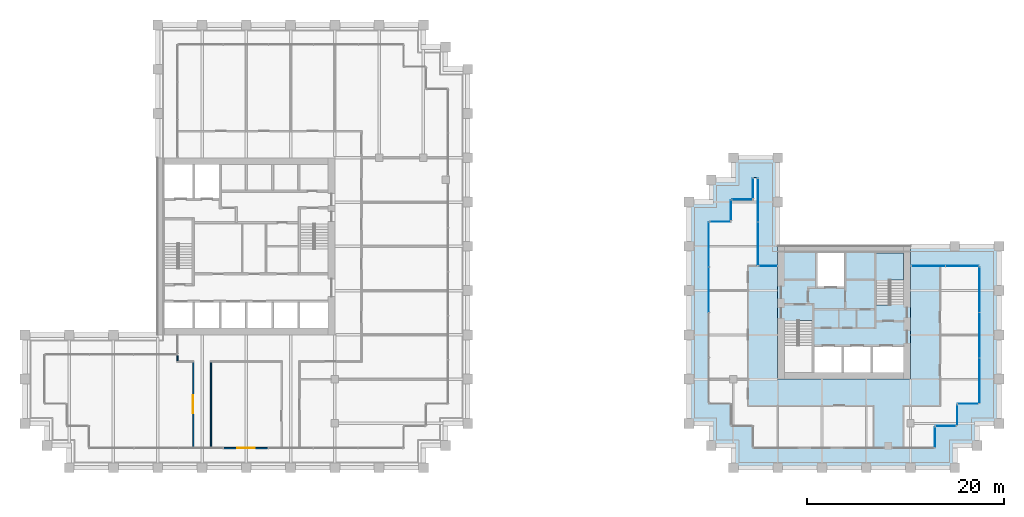
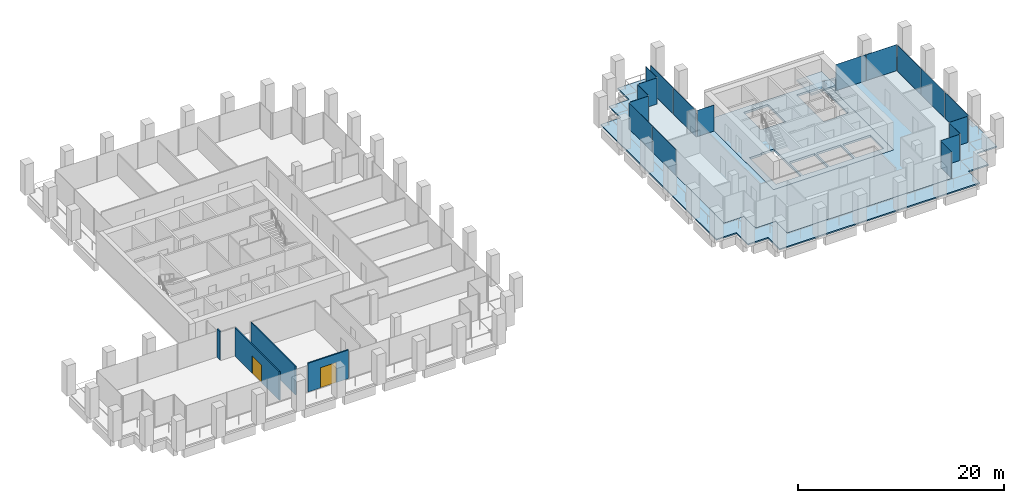
# One storey, part 40 of 46: 18 plates, 4 slabs, 4 walls, 2 doors, 2 openings, 14 elements without a shape of their own.
"""IFC4 building model written with IfcOpenShell, lengths in metres."""

from ifc_helpers import new_model, si_unit, direction, frame, frame_2d, origin, origin_2d, place, context, subcontext, project, spatial, polyline, rectangle, outline, extrude, material, layer, layer_set, type_object, element, fill, aggregate, save


model = new_model("IFC4")

# Units and contexts
model_context = context("Model", 3, precision=1e-05, world=origin(), true_north=direction((0.0, 1.0)))
body_context = subcontext(model_context, "Body", "Model", "MODEL_VIEW")
ifc_project = project(units=[si_unit("LENGTHUNIT", "METRE"), si_unit("AREAUNIT", "SQUARE_METRE"), si_unit("VOLUMEUNIT", "CUBIC_METRE"), si_unit("PLANEANGLEUNIT", "RADIAN"), si_unit("MASSUNIT", "GRAM", prefix="KILO")], contexts=[model_context])

# Site, building, storey
site_placement = place(None, origin())
site = spatial("IfcSite", under=ifc_project, at=site_placement, CompositionType="ELEMENT")
building_placement = place(site_placement, origin())
building = spatial("IfcBuilding", under=site, at=building_placement, Name="Altepetl Exchange Towers", CompositionType="ELEMENT")
storey_placement = place(building_placement, frame((0.0, 0.0, 135.199951171875)))
storey = spatial("IfcBuildingStorey", under=building, at=storey_placement, Name="L33", CompositionType="ELEMENT", Elevation=135.199951171875)

# Slabs
ifc_material_1 = material(Name="Concrete C40/50", Category="concrete")
ifc_layer_1 = layer(ifc_material_1, 0.14990234375)
ifc_layer_set_1 = layer_set([ifc_layer_1], Name="Concrete C40/50")
slab_type_1 = type_object("IfcSlabType", Name="Composite floor slab 150", PredefinedType="FLOOR", material=ifc_layer_set_1)
slab_1_placement = place(storey_placement, frame((0.0, 0.0, -0.14990234375)))
element("IfcSlab", 1, at=slab_1_placement, inside=storey, type_object=slab_type_1, Name="slab:B:L33:strip0", PredefinedType="FLOOR", context=body_context, shape_type="SweptSolid", body=[
    extrude(outline(polyline([(98.75, 54.25), (98.75, 52.0), (96.5, 52.0), (96.5, 33.5), (98.75, 33.5), (98.75, 31.25), (101.0, 31.25), (101.0, 29.0), (119.5, 29.0), (119.5, 31.25), (121.75, 31.25), (121.75, 33.5), (124.0, 33.5), (124.0, 47.5), (117.0, 47.5), (117.0, 36.0), (103.5, 36.0), (103.5, 47.5), (101.5, 47.5), (101.5, 56.5), (101.0, 56.5), (101.0, 54.25), (98.75, 54.25)])), origin(), (0.0, 0.0, 1.0), 0.14990234375),
])
ifc_layer_2 = layer(ifc_material_1, 0.25)
ifc_layer_set_2 = layer_set([ifc_layer_2], Name="Concrete C40/50")
slab_type_2 = type_object("IfcSlabType", Name="Core floor slab 250", PredefinedType="FLOOR", material=ifc_layer_set_2)
slab_2_placement = place(storey_placement, frame((0.0, 0.0, -0.25)))
element("IfcSlab", 2, at=slab_2_placement, inside=storey, type_object=slab_type_2, Name="slab:B:L33:core0", PredefinedType="FLOOR", context=body_context, shape_type="SweptSolid", body=[
    extrude(outline(polyline([(103.5, 36.0), (117.0, 36.0), (117.0, 49.5), (103.5, 49.5), (103.5, 36.0)]), holes=[polyline([(107.199951171875, 36.699951171875), (107.199951171875, 39.300048828125), (110.032958984375, 39.300048828125), (110.032958984375, 36.699951171875), (107.199951171875, 36.699951171875)]), polyline([(110.23291015625, 39.300048828125), (112.967041015625, 39.300048828125), (112.967041015625, 36.699951171875), (110.23291015625, 36.699951171875), (110.23291015625, 39.300048828125)]), polyline([(113.1669921875, 39.300048828125), (116.300048828125, 39.300048828125), (116.300048828125, 36.699951171875), (113.1669921875, 36.699951171875), (113.1669921875, 39.300048828125)]), polyline([(107.0, 36.699951171875), (104.199951171875, 36.699951171875), (104.199951171875, 41.85009765625), (105.550048828125, 41.85009765625), (105.550048828125, 41.948974609375), (107.0, 41.948974609375), (107.0, 36.699951171875)]), polyline([(116.300048828125, 48.800048828125), (116.300048828125, 43.64990234375), (114.949951171875, 43.64990234375), (114.949951171875, 43.551025390625), (113.5, 43.551025390625), (113.5, 48.800048828125), (116.300048828125, 48.800048828125)]), polyline([(107.532958984375, 48.800048828125), (110.26708984375, 48.800048828125), (110.26708984375, 45.39990234375), (107.532958984375, 45.39990234375), (107.532958984375, 48.800048828125)])]), origin(), (0.0, 0.0, 1.0), 0.25),
])

# Curtain wall, plate
ifc_material_2 = material(Name="Aluminium 6063-T6 glazing", Category="aluminium")
curtain_wall_type = type_object("IfcCurtainWallType", Name="Loggia glazing system", PredefinedType="NOTDEFINED", material=ifc_material_2)
curtain_wall_1_placement = place(storey_placement, origin())
curtain_wall_1 = element("IfcCurtainWall", 3, at=curtain_wall_1_placement, inside=storey, type_object=curtain_wall_type, Name="CW1 run", PredefinedType="NOTDEFINED")
ifc_material_3 = material(Name="Glass 6-16-6 low emissivity", Category="glass")
ifc_layer_3 = layer(ifc_material_3, 0.028076171875)
ifc_layer_set_3 = layer_set([ifc_layer_3], Name="Glass 6-16-6 low emissivity")
plate_type = type_object("IfcPlateType", Name="Glass panel 28 double glazed", PredefinedType="CURTAIN_PANEL", material=ifc_layer_set_3)
plate_1_placement = place(storey_placement, frame((97.66259765625, 52.0, 0.0), z_axis=(0.0, 0.0, 1.0), x_axis=(-1.0, 0.0, 0.0)))
plate_1 = element("IfcPlate", 4, at=plate_1_placement, type_object=plate_type, Name="GP1 panel", PredefinedType="CURTAIN_PANEL", context=body_context, shape_type="SweptSolid", body=[
    extrude(rectangle(XDim=2.054931640625, YDim=0.028076171875, at=origin_2d()), origin(), (0.0, 0.0, 1.0), 3.10009765625),
])
aggregate(curtain_wall_1, [plate_1])

# Curtain wall, plates
curtain_wall_2_placement = place(storey_placement, origin())
curtain_wall_2 = element("IfcCurtainWall", 5, at=curtain_wall_2_placement, inside=storey, type_object=curtain_wall_type, Name="CW1 run", PredefinedType="NOTDEFINED")
plate_2_placement = place(storey_placement, frame((96.5, 49.681884765625, 0.0), z_axis=(0.0, 0.0, 1.0), x_axis=(0.0, -1.0, 0.0)))
plate_2 = element("IfcPlate", 6, at=plate_2_placement, type_object=plate_type, Name="GP1 panel", PredefinedType="CURTAIN_PANEL", context=body_context, shape_type="SweptSolid", body=[
    extrude(rectangle(XDim=4.516357421875, YDim=0.028076171875, at=origin_2d()), origin(), (0.0, 0.0, 1.0), 3.10009765625),
])
plate_3_placement = place(storey_placement, frame((96.5, 45.090576171875, 0.0), z_axis=(0.0, 0.0, 1.0), x_axis=(0.0, -1.0, 0.0)))
plate_3 = element("IfcPlate", 7, at=plate_3_placement, type_object=plate_type, Name="GP1 panel", PredefinedType="CURTAIN_PANEL", context=body_context, shape_type="SweptSolid", body=[
    extrude(rectangle(XDim=4.546142578125, YDim=0.028076171875, at=origin_2d()), origin(), (0.0, 0.0, 1.0), 3.10009765625),
])
aggregate(curtain_wall_2, [plate_2, plate_3])

# Curtain wall, plate
curtain_wall_3_placement = place(storey_placement, origin())
curtain_wall_3 = element("IfcCurtainWall", 8, at=curtain_wall_3_placement, inside=storey, type_object=curtain_wall_type, Name="CW1 run", PredefinedType="NOTDEFINED")
plate_4_placement = place(storey_placement, frame((119.5, 30.08740234375, 0.0), z_axis=(0.0, 0.0, 1.0), x_axis=(0.0, 1.0, 0.0)))
plate_4 = element("IfcPlate", 9, at=plate_4_placement, type_object=plate_type, Name="GP1 panel", PredefinedType="CURTAIN_PANEL", context=body_context, shape_type="SweptSolid", body=[
    extrude(rectangle(XDim=2.054931640625, YDim=0.028076171875, at=origin_2d()), origin(), (0.0, 0.0, 1.0), 3.10009765625),
])
aggregate(curtain_wall_3, [plate_4])

curtain_wall_4_placement = place(storey_placement, origin())
curtain_wall_4 = element("IfcCurtainWall", 10, at=curtain_wall_4_placement, inside=storey, type_object=curtain_wall_type, Name="CW1 run", PredefinedType="NOTDEFINED")
plate_5_placement = place(storey_placement, frame((120.58740234375, 31.25, 0.0)))
plate_5 = element("IfcPlate", 11, at=plate_5_placement, type_object=plate_type, Name="GP1 panel", PredefinedType="CURTAIN_PANEL", context=body_context, shape_type="SweptSolid", body=[
    extrude(rectangle(XDim=2.054931640625, YDim=0.028076171875, at=origin_2d()), origin(), (0.0, 0.0, 1.0), 3.10009765625),
])
aggregate(curtain_wall_4, [plate_5])

curtain_wall_5_placement = place(storey_placement, origin())
curtain_wall_5 = element("IfcCurtainWall", 12, at=curtain_wall_5_placement, inside=storey, type_object=curtain_wall_type, Name="CW1 run", PredefinedType="NOTDEFINED")
plate_6_placement = place(storey_placement, frame((121.75, 32.33740234375, 0.0), z_axis=(0.0, 0.0, 1.0), x_axis=(0.0, 1.0, 0.0)))
plate_6 = element("IfcPlate", 13, at=plate_6_placement, type_object=plate_type, Name="GP1 panel", PredefinedType="CURTAIN_PANEL", context=body_context, shape_type="SweptSolid", body=[
    extrude(rectangle(XDim=2.054931640625, YDim=0.028076171875, at=origin_2d()), origin(), (0.0, 0.0, 1.0), 3.10009765625),
])
aggregate(curtain_wall_5, [plate_6])

curtain_wall_6_placement = place(storey_placement, origin())
curtain_wall_6 = element("IfcCurtainWall", 14, at=curtain_wall_6_placement, inside=storey, type_object=curtain_wall_type, Name="CW1 run", PredefinedType="NOTDEFINED")
plate_7_placement = place(storey_placement, frame((122.83740234375, 33.5, 0.0)))
plate_7 = element("IfcPlate", 15, at=plate_7_placement, type_object=plate_type, Name="GP1 panel", PredefinedType="CURTAIN_PANEL", context=body_context, shape_type="SweptSolid", body=[
    extrude(rectangle(XDim=2.054931640625, YDim=0.028076171875, at=origin_2d()), origin(), (0.0, 0.0, 1.0), 3.10009765625),
])
aggregate(curtain_wall_6, [plate_7])

# Curtain wall, plates
curtain_wall_7_placement = place(storey_placement, origin())
curtain_wall_7 = element("IfcCurtainWall", 16, at=curtain_wall_7_placement, inside=storey, type_object=curtain_wall_type, Name="CW1 run", PredefinedType="NOTDEFINED")
plate_8_placement = place(storey_placement, frame((124.0, 35.8359375, 0.0), z_axis=(0.0, 0.0, 1.0), x_axis=(0.0, 1.0, 0.0)))
plate_8 = element("IfcPlate", 17, at=plate_8_placement, type_object=plate_type, Name="GP1 panel", PredefinedType="CURTAIN_PANEL", context=body_context, shape_type="SweptSolid", body=[
    extrude(rectangle(XDim=4.5517578125, YDim=0.028076171875, at=origin_2d()), origin(), (0.0, 0.0, 1.0), 3.10009765625),
])
plate_9_placement = place(storey_placement, frame((124.0, 40.46240234375, 0.0), z_axis=(0.0, 0.0, 1.0), x_axis=(0.0, 1.0, 0.0)))
plate_9 = element("IfcPlate", 18, at=plate_9_placement, type_object=plate_type, Name="GP1 panel", PredefinedType="CURTAIN_PANEL", context=body_context, shape_type="SweptSolid", body=[
    extrude(rectangle(XDim=4.581787109375, YDim=0.028076171875, at=origin_2d()), origin(), (0.0, 0.0, 1.0), 3.10009765625),
])
plate_10_placement = place(storey_placement, frame((124.0, 45.089111328125, 0.0), z_axis=(0.0, 0.0, 1.0), x_axis=(0.0, 1.0, 0.0)))
plate_10 = element("IfcPlate", 19, at=plate_10_placement, type_object=plate_type, Name="GP1 panel", PredefinedType="CURTAIN_PANEL", context=body_context, shape_type="SweptSolid", body=[
    extrude(rectangle(XDim=4.5517578125, YDim=0.028076171875, at=origin_2d()), origin(), (0.0, 0.0, 1.0), 3.10009765625),
])
aggregate(curtain_wall_7, [plate_8, plate_9, plate_10])

curtain_wall_8_placement = place(storey_placement, origin())
curtain_wall_8 = element("IfcCurtainWall", 20, at=curtain_wall_8_placement, inside=storey, type_object=curtain_wall_type, Name="CW1 run", PredefinedType="NOTDEFINED")
plate_11_placement = place(storey_placement, frame((122.253662109375, 47.5, 0.0), z_axis=(0.0, 0.0, 1.0), x_axis=(-1.0, 0.0, 0.0)))
plate_11 = element("IfcPlate", 21, at=plate_11_placement, type_object=plate_type, Name="GP1 panel", PredefinedType="CURTAIN_PANEL", context=body_context, shape_type="SweptSolid", body=[
    extrude(rectangle(XDim=3.37255859375, YDim=0.028076171875, at=origin_2d()), origin(), (0.0, 0.0, 1.0), 3.10009765625),
])
plate_12_placement = place(storey_placement, frame((118.8212890625, 47.5, 0.0), z_axis=(0.0, 0.0, 1.0), x_axis=(-1.0, 0.0, 0.0)))
plate_12 = element("IfcPlate", 22, at=plate_12_placement, type_object=plate_type, Name="GP1 panel", PredefinedType="CURTAIN_PANEL", context=body_context, shape_type="SweptSolid", body=[
    extrude(rectangle(XDim=3.37255859375, YDim=0.028076171875, at=origin_2d()), origin(), (0.0, 0.0, 1.0), 3.10009765625),
])
aggregate(curtain_wall_8, [plate_11, plate_12])

# Curtain wall, plate
curtain_wall_9_placement = place(storey_placement, origin())
curtain_wall_9 = element("IfcCurtainWall", 23, at=curtain_wall_9_placement, inside=storey, type_object=curtain_wall_type, Name="CW1 run", PredefinedType="NOTDEFINED")
plate_13_placement = place(storey_placement, frame((102.53759765625, 47.5, 0.0), z_axis=(0.0, 0.0, 1.0), x_axis=(-1.0, 0.0, 0.0)))
plate_13 = element("IfcPlate", 24, at=plate_13_placement, type_object=plate_type, Name="GP1 panel", PredefinedType="CURTAIN_PANEL", context=body_context, shape_type="SweptSolid", body=[
    extrude(rectangle(XDim=1.804931640625, YDim=0.028076171875, at=origin_2d()), origin(), (0.0, 0.0, 1.0), 3.10009765625),
])
aggregate(curtain_wall_9, [plate_13])

# Curtain wall, plates
curtain_wall_10_placement = place(storey_placement, origin())
curtain_wall_10 = element("IfcCurtainWall", 25, at=curtain_wall_10_placement, inside=storey, type_object=curtain_wall_type, Name="CW1 run", PredefinedType="NOTDEFINED")
plate_14_placement = place(storey_placement, frame((101.5, 49.746337890625, 0.0), z_axis=(0.0, 0.0, 1.0), x_axis=(0.0, 1.0, 0.0)))
plate_14 = element("IfcPlate", 26, at=plate_14_placement, type_object=plate_type, Name="GP1 panel", PredefinedType="CURTAIN_PANEL", context=body_context, shape_type="SweptSolid", body=[
    extrude(rectangle(XDim=4.37255859375, YDim=0.028076171875, at=origin_2d()), origin(), (0.0, 0.0, 1.0), 3.10009765625),
])
plate_15_placement = place(storey_placement, frame((101.5, 54.1787109375, 0.0), z_axis=(0.0, 0.0, 1.0), x_axis=(0.0, 1.0, 0.0)))
plate_15 = element("IfcPlate", 27, at=plate_15_placement, type_object=plate_type, Name="GP1 panel", PredefinedType="CURTAIN_PANEL", context=body_context, shape_type="SweptSolid", body=[
    extrude(rectangle(XDim=4.37255859375, YDim=0.028076171875, at=origin_2d()), origin(), (0.0, 0.0, 1.0), 3.10009765625),
])
aggregate(curtain_wall_10, [plate_14, plate_15])

# Curtain wall, plate
curtain_wall_11_placement = place(storey_placement, origin())
curtain_wall_11 = element("IfcCurtainWall", 28, at=curtain_wall_11_placement, inside=storey, type_object=curtain_wall_type, Name="CW1 run", PredefinedType="NOTDEFINED")
plate_16_placement = place(storey_placement, frame((101.0, 55.41259765625, 0.0), z_axis=(0.0, 0.0, 1.0), x_axis=(0.0, -1.0, 0.0)))
plate_16 = element("IfcPlate", 29, at=plate_16_placement, type_object=plate_type, Name="GP1 panel", PredefinedType="CURTAIN_PANEL", context=body_context, shape_type="SweptSolid", body=[
    extrude(rectangle(XDim=2.054931640625, YDim=0.028076171875, at=origin_2d()), origin(), (0.0, 0.0, 1.0), 3.10009765625),
])
aggregate(curtain_wall_11, [plate_16])

curtain_wall_12_placement = place(storey_placement, origin())
curtain_wall_12 = element("IfcCurtainWall", 30, at=curtain_wall_12_placement, inside=storey, type_object=curtain_wall_type, Name="CW1 run", PredefinedType="NOTDEFINED")
plate_17_placement = place(storey_placement, frame((99.91259765625, 54.25, 0.0), z_axis=(0.0, 0.0, 1.0), x_axis=(-1.0, 0.0, 0.0)))
plate_17 = element("IfcPlate", 31, at=plate_17_placement, type_object=plate_type, Name="GP1 panel", PredefinedType="CURTAIN_PANEL", context=body_context, shape_type="SweptSolid", body=[
    extrude(rectangle(XDim=2.054931640625, YDim=0.028076171875, at=origin_2d()), origin(), (0.0, 0.0, 1.0), 3.10009765625),
])
aggregate(curtain_wall_12, [plate_17])

curtain_wall_13_placement = place(storey_placement, origin())
curtain_wall_13 = element("IfcCurtainWall", 32, at=curtain_wall_13_placement, inside=storey, type_object=curtain_wall_type, Name="CW1 run", PredefinedType="NOTDEFINED")
plate_18_placement = place(storey_placement, frame((98.75, 53.16259765625, 0.0), z_axis=(0.0, 0.0, 1.0), x_axis=(0.0, -1.0, 0.0)))
plate_18 = element("IfcPlate", 33, at=plate_18_placement, type_object=plate_type, Name="GP1 panel", PredefinedType="CURTAIN_PANEL", context=body_context, shape_type="SweptSolid", body=[
    extrude(rectangle(XDim=2.054931640625, YDim=0.028076171875, at=origin_2d()), origin(), (0.0, 0.0, 1.0), 3.10009765625),
])
aggregate(curtain_wall_13, [plate_18])

# Slab
ifc_layer_4 = layer(ifc_material_1, 0.14990234375)
ifc_layer_set_4 = layer_set([ifc_layer_4], Name="Concrete C40/50")
slab_type_3 = type_object("IfcSlabType", Name="Loggia slab 150", PredefinedType="FLOOR", material=ifc_layer_set_4)
slab_3_placement = place(storey_placement, frame((0.0, 0.0, -0.14990234375)))
element("IfcSlab", 34, at=slab_3_placement, inside=storey, type_object=slab_type_3, Name="slab:B:L33:loggia0", PredefinedType="FLOOR", context=body_context, shape_type="SweptSolid", body=[
    extrude(outline(polyline([(96.75, 54.0), (94.5, 54.0), (94.5, 36.0), (94.5, 31.5), (96.75, 31.5), (96.75, 29.25), (99.0, 29.25), (99.0, 27.0), (117.0, 27.0), (121.5, 27.0), (121.5, 29.25), (123.75, 29.25), (123.75, 31.5), (126.0, 31.5), (126.0, 49.5), (117.0, 49.5), (117.0, 47.5), (124.0, 47.5), (124.0, 33.5), (121.75, 33.5), (121.75, 31.25), (119.5, 31.25), (119.5, 29.0), (101.0, 29.0), (101.0, 31.25), (98.75, 31.25), (98.75, 33.5), (96.5, 33.5), (96.5, 52.0), (98.75, 52.0), (98.75, 54.25), (101.0, 54.25), (101.0, 56.5), (101.5, 56.5), (101.5, 47.5), (103.5, 47.5), (103.5, 49.5), (103.5, 58.5), (99.0, 58.5), (99.0, 56.25), (96.75, 56.25), (96.75, 54.0)])), origin(), (0.0, 0.0, 1.0), 0.14990234375),
])

# Stair, slab
stair_type = type_object("IfcStairType", Name="Exit stair 1350 flights dogleg", PredefinedType="HALF_TURN_STAIR", material=ifc_material_1)
stair_placement = place(storey_placement, origin())
stair = element("IfcStair", 35, at=stair_placement, inside=storey, type_object=stair_type, Name="Exit stair 2", PredefinedType="HALF_TURN_STAIR")
ifc_layer_5 = layer(ifc_material_1, 0.199951171875)
ifc_layer_set_5 = layer_set([ifc_layer_5], Name="Concrete C40/50")
slab_type_4 = type_object("IfcSlabType", Name="Stair landing 200 reinforced concrete", PredefinedType="LANDING", material=ifc_layer_set_5)
slab_4_placement = place(storey_placement, frame((0.0, 0.0, 1.60009765625)))
slab_4 = element("IfcSlab", 36, at=slab_4_placement, type_object=slab_type_4, Name="ST-B2d landing 1", PredefinedType="LANDING", context=body_context, shape_type="SweptSolid", body=[
    extrude(outline(polyline([(114.85009765625, 45.969970703125), (113.5, 45.969970703125), (113.5, 46.070068359375), (113.5, 48.800048828125), (116.300048828125, 48.800048828125), (116.300048828125, 46.070068359375), (116.300048828125, 46.0693359375), (114.949951171875, 46.0693359375), (114.949951171875, 46.070068359375), (114.85009765625, 46.070068359375), (114.85009765625, 45.969970703125)])), origin(), (0.0, 0.0, 1.0), 0.199951171875),
])
aggregate(stair, [slab_4])

# Wall, opening, door
ifc_material_4 = material(Name="Aluminium composite cladding", Category="aluminium")
ifc_layer_6 = layer(ifc_material_4, 0.14990234375)
ifc_layer_set_6 = layer_set([ifc_layer_6], Name="Aluminium composite cladding")
wall_type_1 = type_object("IfcWallType", Name="Infill wall 150 aluminium panel", PredefinedType="SOLIDWALL", material=ifc_layer_set_6)
wall_1_placement = place(storey_placement, frame((47.18212890625, 29.0, 0.0)))
wall_1 = element("IfcWall", 37, at=wall_1_placement, inside=storey, type_object=wall_type_1, Name="Loggia door bay wall", PredefinedType="SOLIDWALL", context=body_context, shape_type="SweptSolid", body=[
    extrude(rectangle(XDim=4.560791015625, YDim=0.14990234375, at=frame_2d((2.2802734375, 0.0))), origin(), (0.0, 0.0, 1.0), 3.400146484375),
])
opening_1_placement = place(wall_1_placement, frame((1.38037109375, 0.0, 0.0)))
opening_1 = element("IfcOpeningElement", 38, at=opening_1_placement, cuts=wall_1, Name="Opening L33.A90", PredefinedType="OPENING", context=body_context, shape_type="SweptSolid", body=[
    extrude(rectangle(XDim=1.800048828125, YDim=2.39990234375, at=frame_2d((0.89990234375, 1.199951171875))), frame((0.0, 0.0849609375, 0.0), z_axis=(0.0, -1.0, 0.0), x_axis=(1.0, 0.0, 0.0)), (0.0, 0.0, 1.0), 0.169921875),
])
ifc_material_5 = material(Name="Aluminium 6063-T6 and glass", Category="aluminium")
door_type_1 = type_object("IfcDoorType", Name="Glazed door pair 1800x2400", OperationType="DOUBLE_DOOR_DOUBLE_SWING", PredefinedType="NOTDEFINED", material=ifc_material_5)
door_1_placement = place(opening_1_placement, frame((1.800048828125, 0.0, 0.0), x_axis=(-1.0, 0.0, 0.0)))
door_1 = element("IfcDoor", 39, at=door_1_placement, inside=storey, type_object=door_type_1, Name="Loggia door", OperationType="DOUBLE_DOOR_DOUBLE_SWING", OverallHeight=2.39990234375, OverallWidth=1.800048828125, PredefinedType="NOTDEFINED", context=body_context, shape_type="SweptSolid", body=[
    extrude(rectangle(XDim=1.800048828125, YDim=2.39990234375, at=frame_2d((0.89990234375, 1.199951171875))), frame((0.0, 0.02490234375, 0.0), z_axis=(0.0, -1.0, 0.0), x_axis=(1.0, 0.0, 0.0)), (0.0, 0.0, 1.0), 0.050048828125),
])
fill(opening_1, door_1)

# Wall
ifc_material_6 = material(Name="Gypsum board on steel studs", Category="steel")
ifc_layer_7 = layer(ifc_material_6, 0.125)
ifc_layer_set_7 = layer_set([ifc_layer_7], Name="Gypsum board on steel studs")
wall_type_2 = type_object("IfcWallType", Name="Partition 125 gypsum board on steel studs", PredefinedType="PARTITIONING", material=ifc_layer_set_7)
wall_2_placement = place(storey_placement, frame((42.5, 37.862548828125, 0.0), z_axis=(0.0, 0.0, 1.0), x_axis=(0.0, 1.0, 0.0)))
element("IfcWall", 40, at=wall_2_placement, inside=storey, type_object=wall_type_2, Name="wall:A:L33:P14", PredefinedType="PARTITIONING", context=body_context, shape_type="SweptSolid", body=[
    extrude(rectangle(XDim=0.537353515625, YDim=0.125, at=frame_2d((0.2685546875, 0.0))), origin(), (0.0, 0.0, 1.0), 3.400146484375),
])

# Wall, opening, door
wall_3_placement = place(storey_placement, frame((44.10009765625, 29.10009765625, 0.0), z_axis=(0.0, 0.0, 1.0), x_axis=(0.0, 1.0, 0.0)))
wall_3 = element("IfcWall", 41, at=wall_3_placement, inside=storey, type_object=wall_type_2, Name="wall:A:L33:P15", PredefinedType="PARTITIONING", context=body_context, shape_type="SweptSolid", body=[
    extrude(rectangle(XDim=8.637451171875, YDim=0.125, at=frame_2d((4.31884765625, 0.0))), origin(), (0.0, 0.0, 1.0), 3.400146484375),
])
opening_2_placement = place(wall_3_placement, frame((3.449951171875, 0.0, 0.0)))
opening_2 = element("IfcOpeningElement", 42, at=opening_2_placement, cuts=wall_3, Name="Opening L33.A01", PredefinedType="OPENING", context=body_context, shape_type="SweptSolid", body=[
    extrude(rectangle(XDim=1.800048828125, YDim=2.10009765625, at=frame_2d((0.89990234375, 1.050048828125))), frame((0.0, 0.072509765625, 0.0), z_axis=(0.0, -1.0, 0.0), x_axis=(1.0, 0.0, 0.0)), (0.0, 0.0, 1.0), 0.14501953125),
])
ifc_material_7 = material(Name="Steel and timber fire door", Category="steel")
door_type_2 = type_object("IfcDoorType", Name="Fire door 1800 x 2100 double leaf", OperationType="DOUBLE_DOOR_SINGLE_SWING", PredefinedType="DOOR", material=ifc_material_7)
door_2_placement = place(opening_2_placement, origin())
door_2 = element("IfcDoor", 43, at=door_2_placement, inside=storey, type_object=door_type_2, Name="door:A:L33:01", OperationType="DOUBLE_DOOR_SINGLE_SWING", OverallHeight=2.10009765625, OverallWidth=1.800048828125, PredefinedType="DOOR", context=body_context, shape_type="SweptSolid", body=[
    extrude(rectangle(XDim=1.800048828125, YDim=2.10009765625, at=frame_2d((0.89990234375, 1.050048828125))), frame((0.0, 0.02490234375, 0.0), z_axis=(0.0, -1.0, 0.0), x_axis=(1.0, 0.0, 0.0)), (0.0, 0.0, 1.0), 0.050048828125),
])
fill(opening_2, door_2)

# Wall
wall_4_placement = place(storey_placement, frame((45.89990234375, 29.10009765625, 0.0), z_axis=(0.0, 0.0, 1.0), x_axis=(0.0, 1.0, 0.0)))
element("IfcWall", 44, at=wall_4_placement, inside=storey, type_object=wall_type_2, Name="wall:A:L33:P16", PredefinedType="PARTITIONING", context=body_context, shape_type="SweptSolid", body=[
    extrude(rectangle(XDim=8.637451171875, YDim=0.125, at=frame_2d((4.31884765625, 0.0))), origin(), (0.0, 0.0, 1.0), 3.400146484375),
])

save(model, "model.ifc")
